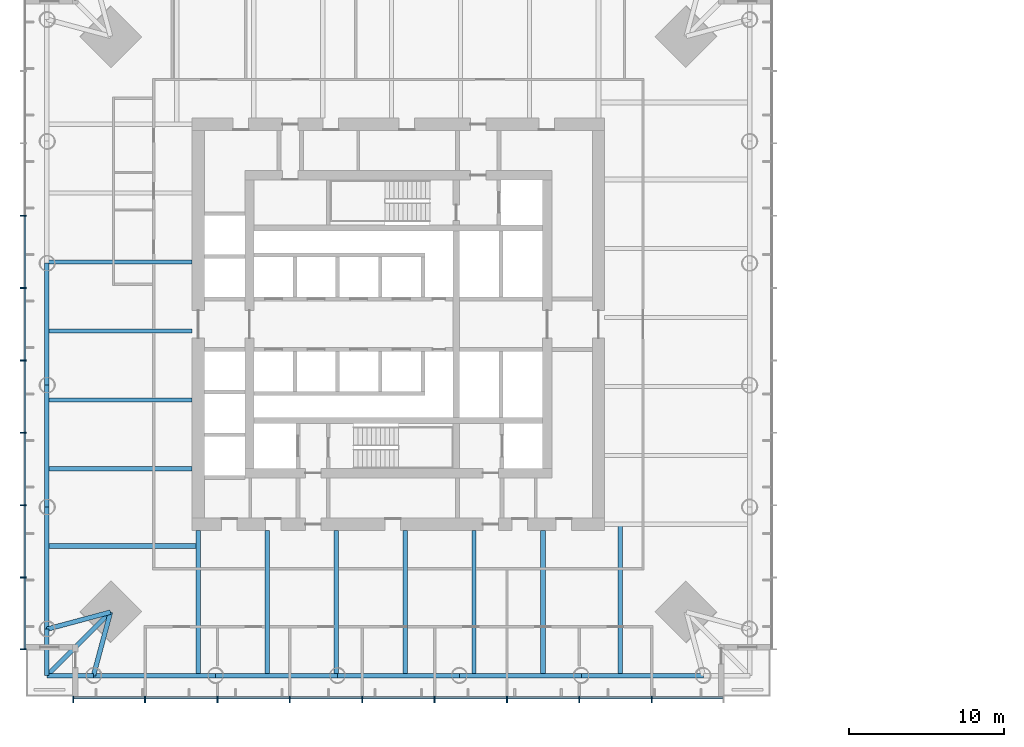
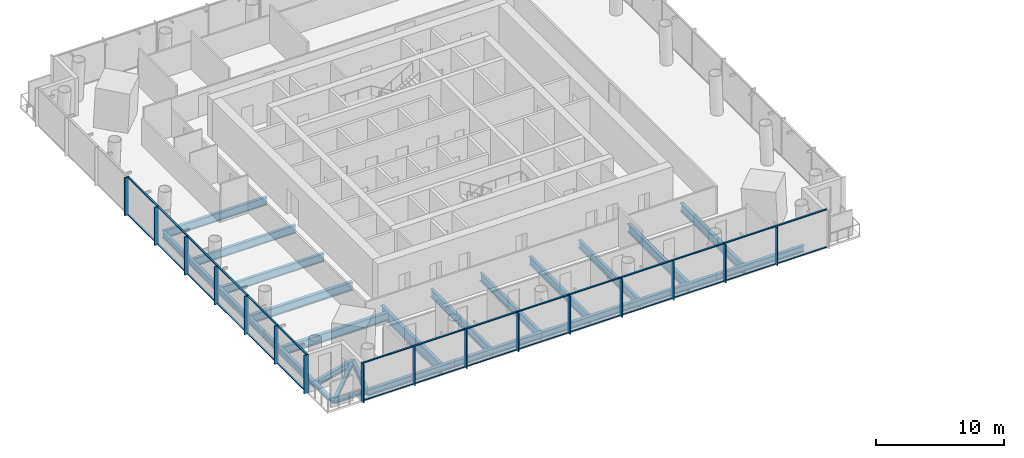
# One storey, part 2 of 22: 46 members, 25 beams, 2 elements without a shape of their own.
"""IFC4 building model written with IfcOpenShell, lengths in metres."""

from ifc_helpers import new_model, si_unit, direction, frame, origin, origin_2d, place, context, subcontext, project, spatial, rectangle, i_section, extrude, material, material_profile, profile_set, type_object, element, aggregate, save


model = new_model("IFC4")

# Units and contexts
model_context = context("Model", 3, precision=1e-05, world=origin(), true_north=direction((0.0, 1.0)))
body_context = subcontext(model_context, "Body", "Model", "MODEL_VIEW")
ifc_project = project(units=[si_unit("LENGTHUNIT", "METRE"), si_unit("AREAUNIT", "SQUARE_METRE"), si_unit("VOLUMEUNIT", "CUBIC_METRE"), si_unit("PLANEANGLEUNIT", "RADIAN"), si_unit("MASSUNIT", "GRAM", prefix="KILO")], contexts=[model_context])

# Site, building, storey
site_placement = place(None, origin())
site = spatial("IfcSite", under=ifc_project, at=site_placement, CompositionType="ELEMENT")
building_placement = place(site_placement, origin())
building = spatial("IfcBuilding", under=site, at=building_placement, Name="Ostroluk Exchange", CompositionType="ELEMENT")
storey_placement = place(building_placement, frame((0.0, 0.0, 62.800048828125)))
storey = spatial("IfcBuildingStorey", under=building, at=storey_placement, Name="L15", CompositionType="ELEMENT", Elevation=62.800048828125)

# Beams
ifc_material_1 = material(Name="Steel S355", Category="steel")
ifc_material_profile_1 = material_profile(ifc_material_1, i_section(OverallWidth=0.300048828125, OverallDepth=0.300048828125, WebThickness=0.010986328125, FlangeThickness=0.01904296875, FilletRadius=0.027099609375, at=origin_2d()), Name="HEB 300")
ifc_profile_set_1 = profile_set([ifc_material_profile_1], Name="Steel S355")
beam_type_1 = type_object("IfcBeamType", Name="Balcony beam HEB 300", PredefinedType="BEAM", material=ifc_profile_set_1)
for number, where, z_axis, x_axis, name in (
    (1, (22.335693359375, 26.335693359375, -0.330078125), (0.0, -1.0, 0.0), (1.0, 0.0, 0.0), "T1 west balcony beam a"),
    (2, (25.335693359375, 23.335693359375, -0.330078125), (-1.0, 0.0, 0.0), (0.0, -1.0, 0.0), "T1 west balcony beam b"),
):
    element("IfcBeam", number, at=place(storey_placement, frame(where, z_axis=z_axis, x_axis=x_axis)), inside=storey, type_object=beam_type_1, Name=name, PredefinedType="BEAM", context=body_context, shape_type="SweptSolid", body=[
        extrude(i_section(OverallWidth=0.300048828125, OverallDepth=0.300048828125, WebThickness=0.010986328125, FlangeThickness=0.01904296875, FilletRadius=0.027099609375, at=origin_2d()), origin(), (0.0, 0.0, 1.0), 3.0),
    ])
beam_1_placement = place(storey_placement, frame((26.435791015625, 27.435791015625, -0.330078125), z_axis=(-0.707106781187, -0.707106781187, 0.0), x_axis=(0.707106781187, -0.707106781187, 0.0)))
element("IfcBeam", 3, at=beam_1_placement, inside=storey, type_object=beam_type_1, Name="T1 west balcony beam c", PredefinedType="BEAM", context=body_context, shape_type="SweptSolid", body=[
    extrude(i_section(OverallWidth=0.300048828125, OverallDepth=0.300048828125, WebThickness=0.010986328125, FlangeThickness=0.01904296875, FilletRadius=0.027099609375, at=origin_2d()), origin(), (0.0, 0.0, 1.0), 5.79833984375),
])
ifc_material_2 = material(Name="Steel S355", Category="steel")
ifc_material_profile_2 = material_profile(ifc_material_2, i_section(OverallWidth=0.300048828125, OverallDepth=0.550048828125, WebThickness=0.014892578125, FlangeThickness=0.029052734375, FilletRadius=0.027099609375, at=origin_2d()), Name="HEB 550")
ifc_profile_set_2 = profile_set([ifc_material_profile_2], Name="Steel S355")
beam_type_2 = type_object("IfcBeamType", Name="Corner edge beam HEB 550", PredefinedType="SPANDREL", material=ifc_profile_set_2)
for number, where, z_axis, x_axis, name in (
    (4, (26.435791015625, 27.435791015625, -0.455078125), (-0.965838624319, -0.259144268261, 0.0), (0.259144268261, -0.965838624319, 0.0), "T1 west corner edge beam a"),
    (5, (26.435791015625, 27.435791015625, -0.455078125), (-0.259144268261, -0.965838624319, 0.0), (0.965838624319, -0.259144268261, 0.0), "T1 west corner edge beam b"),
):
    element("IfcBeam", number, at=place(storey_placement, frame(where, z_axis=z_axis, x_axis=x_axis)), inside=storey, type_object=beam_type_2, Name=name, PredefinedType="SPANDREL", context=body_context, shape_type="SweptSolid", body=[
        extrude(i_section(OverallWidth=0.300048828125, OverallDepth=0.550048828125, WebThickness=0.014892578125, FlangeThickness=0.029052734375, FilletRadius=0.027099609375, at=origin_2d()), origin(), (0.0, 0.0, 1.0), 4.2451171875),
    ])
ifc_material_3 = material(Name="Steel S355", Category="steel")
ifc_material_profile_3 = material_profile(ifc_material_3, i_section(OverallWidth=0.302978515625, OverallDepth=0.81396484375, WebThickness=0.02099609375, FlangeThickness=0.0400390625, FilletRadius=0.030029296875, at=origin_2d()), Name="HEM 800")
ifc_profile_set_3 = profile_set([ifc_material_profile_3], Name="Steel S355")
beam_type_3 = type_object("IfcBeamType", Name="Floor beam HEM 800", PredefinedType="BEAM", material=ifc_profile_set_3)
beam_2_placement = place(storey_placement, frame((31.699951171875, 36.67236328125, -0.587158203125), z_axis=(-1.0, 0.0, 0.0), x_axis=(0.0, -1.0, 0.0)))
element("IfcBeam", 6, at=beam_2_placement, inside=storey, type_object=beam_type_3, Name="T1 west floor beam 5", PredefinedType="BEAM", context=body_context, shape_type="SweptSolid", body=[
    extrude(i_section(OverallWidth=0.302978515625, OverallDepth=0.81396484375, WebThickness=0.02099609375, FlangeThickness=0.0400390625, FilletRadius=0.030029296875, at=origin_2d()), origin(), (0.0, 0.0, 1.0), 9.3642578125),
])
beam_3_placement = place(storey_placement, frame((32.10009765625, 31.699951171875, -0.587158203125), z_axis=(-1.0, 0.0, 0.0), x_axis=(0.0, -1.0, 0.0)))
element("IfcBeam", 7, at=beam_3_placement, inside=storey, type_object=beam_type_3, Name="T1 west floor beam 6", PredefinedType="BEAM", context=body_context, shape_type="SweptSolid", body=[
    extrude(i_section(OverallWidth=0.302978515625, OverallDepth=0.81396484375, WebThickness=0.02099609375, FlangeThickness=0.0400390625, FilletRadius=0.030029296875, at=origin_2d()), origin(), (0.0, 0.0, 1.0), 9.764404296875),
])
beam_4_placement = place(storey_placement, frame((54.32763671875, 32.699951171875, -0.587158203125), z_axis=(0.0, -1.0, 0.0), x_axis=(1.0, 0.0, 0.0)))
element("IfcBeam", 8, at=beam_4_placement, inside=storey, type_object=beam_type_3, Name="T1 south floor beam 5", PredefinedType="BEAM", context=body_context, shape_type="SweptSolid", body=[
    extrude(i_section(OverallWidth=0.302978515625, OverallDepth=0.81396484375, WebThickness=0.02099609375, FlangeThickness=0.0400390625, FilletRadius=0.030029296875, at=origin_2d()), origin(), (0.0, 0.0, 1.0), 9.3642578125),
])
beam_5_placement = place(storey_placement, frame((59.300048828125, 33.10009765625, -0.587158203125), z_axis=(0.0, -1.0, 0.0), x_axis=(1.0, 0.0, 0.0)))
element("IfcBeam", 9, at=beam_5_placement, inside=storey, type_object=beam_type_3, Name="T1 south floor beam 6", PredefinedType="BEAM", context=body_context, shape_type="SweptSolid", body=[
    extrude(i_section(OverallWidth=0.302978515625, OverallDepth=0.81396484375, WebThickness=0.02099609375, FlangeThickness=0.0400390625, FilletRadius=0.030029296875, at=origin_2d()), origin(), (0.0, 0.0, 1.0), 9.764404296875),
])
ifc_material_4 = material(Name="Steel S355", Category="steel")
ifc_material_profile_4 = material_profile(ifc_material_4, i_section(OverallWidth=0.26806640625, OverallDepth=0.77001953125, WebThickness=0.015625, FlangeThickness=0.025390625, FilletRadius=0.01708984375, at=origin_2d()), Name="IPE 750x196")
ifc_profile_set_4 = profile_set([ifc_material_profile_4], Name="Steel S355")
beam_type_4 = type_object("IfcBeamType", Name="Floor beam IPE 750x196", PredefinedType="BEAM", material=ifc_profile_set_4)
for number, where, z_axis, x_axis, name in (
    (10, (31.699951171875, 50.009033203125, -0.56494140625), (-1.0, 0.0, 0.0), (0.0, -1.0, 0.0), "T1 west floor beam 2"),
    (11, (31.699951171875, 45.5634765625, -0.56494140625), (-1.0, 0.0, 0.0), (0.0, -1.0, 0.0), "T1 west floor beam 3"),
    (12, (31.699951171875, 41.117919921875, -0.56494140625), (-1.0, 0.0, 0.0), (0.0, -1.0, 0.0), "T1 west floor beam 4"),
    (13, (36.545654296875, 32.699951171875, -0.56494140625), (0.0, -1.0, 0.0), (1.0, 0.0, 0.0), "T1 south floor beam 1"),
    (14, (40.990966796875, 32.699951171875, -0.56494140625), (0.0, -1.0, 0.0), (1.0, 0.0, 0.0), "T1 south floor beam 2"),
    (15, (45.4365234375, 32.699951171875, -0.56494140625), (0.0, -1.0, 0.0), (1.0, 0.0, 0.0), "T1 south floor beam 3"),
    (16, (49.882080078125, 32.699951171875, -0.56494140625), (0.0, -1.0, 0.0), (1.0, 0.0, 0.0), "T1 south floor beam 4"),
):
    element("IfcBeam", number, at=place(storey_placement, frame(where, z_axis=z_axis, x_axis=x_axis)), inside=storey, type_object=beam_type_4, Name=name, PredefinedType="BEAM", context=body_context, shape_type="SweptSolid", body=[
        extrude(i_section(OverallWidth=0.26806640625, OverallDepth=0.77001953125, WebThickness=0.015625, FlangeThickness=0.025390625, FilletRadius=0.01708984375, at=origin_2d()), origin(), (0.0, 0.0, 1.0), 9.3642578125),
    ])
ifc_material_5 = material(Name="Steel S355", Category="steel")
ifc_material_profile_5 = material_profile(ifc_material_5, i_section(OverallWidth=0.302001953125, OverallDepth=1.008056640625, WebThickness=0.02099609375, FlangeThickness=0.0400390625, FilletRadius=0.030029296875, at=origin_2d()), Name="HEM 1000")
ifc_profile_set_5 = profile_set([ifc_material_profile_5], Name="Steel S355")
beam_type_5 = type_object("IfcBeamType", Name="Girder HEM 1000", PredefinedType="BEAM", material=ifc_profile_set_5)
beam_6_placement = place(storey_placement, frame((32.10009765625, 32.699951171875, -0.68408203125), z_axis=(0.0, -1.0, 0.0), x_axis=(1.0, 0.0, 0.0)))
element("IfcBeam", 17, at=beam_6_placement, inside=storey, type_object=beam_type_5, Name="T1 west girder", PredefinedType="BEAM", context=body_context, shape_type="SweptSolid", body=[
    extrude(i_section(OverallWidth=0.302001953125, OverallDepth=1.008056640625, WebThickness=0.02099609375, FlangeThickness=0.0400390625, FilletRadius=0.030029296875, at=origin_2d()), origin(), (0.0, 0.0, 1.0), 9.3642578125),
])
ifc_material_6 = material(Name="Steel S355", Category="steel")
ifc_material_profile_6 = material_profile(ifc_material_6, i_section(OverallWidth=0.300048828125, OverallDepth=0.60009765625, WebThickness=0.015380859375, FlangeThickness=0.030029296875, FilletRadius=0.027099609375, at=origin_2d()), Name="HEB 600")
ifc_profile_set_6 = profile_set([ifc_material_profile_6], Name="Steel S355")
beam_type_6 = type_object("IfcBeamType", Name="Moment-connected edge beam HEB 600", PredefinedType="SPANDREL", material=ifc_profile_set_6)
for number, where, z_axis, x_axis, name in (
    (18, (22.335693359375, 49.932861328125, -0.47998046875), (0.0, -1.0, 0.0), (1.0, 0.0, 0.0), "T1 west edge beam 3"),
    (19, (22.335693359375, 42.067138671875, -0.47998046875), (0.0, -1.0, 0.0), (1.0, 0.0, 0.0), "T1 west edge beam 4"),
    (20, (22.335693359375, 34.201416015625, -0.47998046875), (0.0, -1.0, 0.0), (1.0, 0.0, 0.0), "T1 west edge beam 5"),
    (21, (25.335693359375, 23.335693359375, -0.47998046875), (1.0, 0.0, 0.0), (0.0, 1.0, 0.0), "T1 south edge beam 1"),
    (22, (33.201416015625, 23.335693359375, -0.47998046875), (1.0, 0.0, 0.0), (0.0, 1.0, 0.0), "T1 south edge beam 2"),
    (23, (41.067138671875, 23.335693359375, -0.47998046875), (1.0, 0.0, 0.0), (0.0, 1.0, 0.0), "T1 south edge beam 3"),
    (24, (48.932861328125, 23.335693359375, -0.47998046875), (1.0, 0.0, 0.0), (0.0, 1.0, 0.0), "T1 south edge beam 4"),
    (25, (56.798583984375, 23.335693359375, -0.47998046875), (1.0, 0.0, 0.0), (0.0, 1.0, 0.0), "T1 south edge beam 5"),
):
    element("IfcBeam", number, at=place(storey_placement, frame(where, z_axis=z_axis, x_axis=x_axis)), inside=storey, type_object=beam_type_6, Name=name, PredefinedType="SPANDREL", context=body_context, shape_type="SweptSolid", body=[
        extrude(i_section(OverallWidth=0.300048828125, OverallDepth=0.60009765625, WebThickness=0.015380859375, FlangeThickness=0.030029296875, FilletRadius=0.027099609375, at=origin_2d()), origin(), (0.0, 0.0, 1.0), 7.86572265625),
    ])

# Curtain wall, members
ifc_material_7 = material(Name="Laminated clear glass", Category="glass")
curtain_wall_type = type_object("IfcCurtainWallType", Name="Office tower facade", PredefinedType="USERDEFINED", material=ifc_material_7)
curtain_wall_1_placement = place(storey_placement, origin())
curtain_wall_1 = element("IfcCurtainWall", 26, at=curtain_wall_1_placement, inside=storey, type_object=curtain_wall_type, Name="Office tower south facade L15", ObjectType="UNITISED CURTAIN WALL", PredefinedType="USERDEFINED")
ifc_material_8 = material(Name="Aluminium mullion", Category="aluminium")
ifc_material_profile_7 = material_profile(ifc_material_8, rectangle(XDim=0.14990234375, YDim=0.080078125, at=origin_2d()), Name="Sill transom 80 x 150")
ifc_profile_set_7 = profile_set([ifc_material_profile_7], Name="Aluminium mullion")
member_type_1 = type_object("IfcMemberType", Name="Sill transom 80 x 150", PredefinedType="USERDEFINED", material=ifc_profile_set_7)
member_1_placement = place(storey_placement, frame((24.080078125, 21.925048828125, 0.0400390625), z_axis=(1.0, 0.0, 0.0), x_axis=(0.0, 1.0, 0.0)))
member_1 = element("IfcMember", 27, at=member_1_placement, type_object=member_type_1, Name="CW-O1 transom 1.1", ObjectType="TRANSOM", PredefinedType="USERDEFINED", context=body_context, shape_type="SweptSolid", body=[
    extrude(rectangle(XDim=0.14990234375, YDim=0.080078125, at=origin_2d()), origin(), (0.0, 0.0, 1.0), 4.546630859375),
])
member_2_placement = place(storey_placement, frame((24.080078125, 21.925048828125, 3.60986328125), z_axis=(1.0, 0.0, 0.0), x_axis=(0.0, 1.0, 0.0)))
member_2 = element("IfcMember", 28, at=member_2_placement, type_object=member_type_1, Name="CW-O1 transom 1.2", ObjectType="TRANSOM", PredefinedType="USERDEFINED", context=body_context, shape_type="SweptSolid", body=[
    extrude(rectangle(XDim=0.14990234375, YDim=0.080078125, at=origin_2d()), origin(), (0.0, 0.0, 1.0), 4.546630859375),
])
member_3_placement = place(storey_placement, frame((28.706787109375, 21.925048828125, 0.0400390625), z_axis=(1.0, 0.0, 0.0), x_axis=(0.0, 1.0, 0.0)))
member_3 = element("IfcMember", 29, at=member_3_placement, type_object=member_type_1, Name="CW-O1 transom 2.1", ObjectType="TRANSOM", PredefinedType="USERDEFINED", context=body_context, shape_type="SweptSolid", body=[
    extrude(rectangle(XDim=0.14990234375, YDim=0.080078125, at=origin_2d()), origin(), (0.0, 0.0, 1.0), 4.58642578125),
])
member_4_placement = place(storey_placement, frame((28.706787109375, 21.925048828125, 3.60986328125), z_axis=(1.0, 0.0, 0.0), x_axis=(0.0, 1.0, 0.0)))
member_4 = element("IfcMember", 30, at=member_4_placement, type_object=member_type_1, Name="CW-O1 transom 2.2", ObjectType="TRANSOM", PredefinedType="USERDEFINED", context=body_context, shape_type="SweptSolid", body=[
    extrude(rectangle(XDim=0.14990234375, YDim=0.080078125, at=origin_2d()), origin(), (0.0, 0.0, 1.0), 4.58642578125),
])
member_5_placement = place(storey_placement, frame((33.373291015625, 21.925048828125, 0.0400390625), z_axis=(1.0, 0.0, 0.0), x_axis=(0.0, 1.0, 0.0)))
member_5 = element("IfcMember", 31, at=member_5_placement, type_object=member_type_1, Name="CW-O1 transom 3.1", ObjectType="TRANSOM", PredefinedType="USERDEFINED", context=body_context, shape_type="SweptSolid", body=[
    extrude(rectangle(XDim=0.14990234375, YDim=0.080078125, at=origin_2d()), origin(), (0.0, 0.0, 1.0), 4.586669921875),
])
member_6_placement = place(storey_placement, frame((33.373291015625, 21.925048828125, 3.60986328125), z_axis=(1.0, 0.0, 0.0), x_axis=(0.0, 1.0, 0.0)))
member_6 = element("IfcMember", 32, at=member_6_placement, type_object=member_type_1, Name="CW-O1 transom 3.2", ObjectType="TRANSOM", PredefinedType="USERDEFINED", context=body_context, shape_type="SweptSolid", body=[
    extrude(rectangle(XDim=0.14990234375, YDim=0.080078125, at=origin_2d()), origin(), (0.0, 0.0, 1.0), 4.586669921875),
])
member_7_placement = place(storey_placement, frame((38.0400390625, 21.925048828125, 0.0400390625), z_axis=(1.0, 0.0, 0.0), x_axis=(0.0, 1.0, 0.0)))
member_7 = element("IfcMember", 33, at=member_7_placement, type_object=member_type_1, Name="CW-O1 transom 4.1", ObjectType="TRANSOM", PredefinedType="USERDEFINED", context=body_context, shape_type="SweptSolid", body=[
    extrude(rectangle(XDim=0.14990234375, YDim=0.080078125, at=origin_2d()), origin(), (0.0, 0.0, 1.0), 4.586669921875),
])
member_8_placement = place(storey_placement, frame((38.0400390625, 21.925048828125, 3.60986328125), z_axis=(1.0, 0.0, 0.0), x_axis=(0.0, 1.0, 0.0)))
member_8 = element("IfcMember", 34, at=member_8_placement, type_object=member_type_1, Name="CW-O1 transom 4.2", ObjectType="TRANSOM", PredefinedType="USERDEFINED", context=body_context, shape_type="SweptSolid", body=[
    extrude(rectangle(XDim=0.14990234375, YDim=0.080078125, at=origin_2d()), origin(), (0.0, 0.0, 1.0), 4.586669921875),
])
member_9_placement = place(storey_placement, frame((42.706787109375, 21.925048828125, 0.0400390625), z_axis=(1.0, 0.0, 0.0), x_axis=(0.0, 1.0, 0.0)))
member_9 = element("IfcMember", 35, at=member_9_placement, type_object=member_type_1, Name="CW-O1 transom 5.1", ObjectType="TRANSOM", PredefinedType="USERDEFINED", context=body_context, shape_type="SweptSolid", body=[
    extrude(rectangle(XDim=0.14990234375, YDim=0.080078125, at=origin_2d()), origin(), (0.0, 0.0, 1.0), 4.58642578125),
])
member_10_placement = place(storey_placement, frame((42.706787109375, 21.925048828125, 3.60986328125), z_axis=(1.0, 0.0, 0.0), x_axis=(0.0, 1.0, 0.0)))
member_10 = element("IfcMember", 36, at=member_10_placement, type_object=member_type_1, Name="CW-O1 transom 5.2", ObjectType="TRANSOM", PredefinedType="USERDEFINED", context=body_context, shape_type="SweptSolid", body=[
    extrude(rectangle(XDim=0.14990234375, YDim=0.080078125, at=origin_2d()), origin(), (0.0, 0.0, 1.0), 4.58642578125),
])
member_11_placement = place(storey_placement, frame((47.373291015625, 21.925048828125, 0.0400390625), z_axis=(1.0, 0.0, 0.0), x_axis=(0.0, 1.0, 0.0)))
member_11 = element("IfcMember", 37, at=member_11_placement, type_object=member_type_1, Name="CW-O1 transom 6.1", ObjectType="TRANSOM", PredefinedType="USERDEFINED", context=body_context, shape_type="SweptSolid", body=[
    extrude(rectangle(XDim=0.14990234375, YDim=0.080078125, at=origin_2d()), origin(), (0.0, 0.0, 1.0), 4.586669921875),
])
member_12_placement = place(storey_placement, frame((47.373291015625, 21.925048828125, 3.60986328125), z_axis=(1.0, 0.0, 0.0), x_axis=(0.0, 1.0, 0.0)))
member_12 = element("IfcMember", 38, at=member_12_placement, type_object=member_type_1, Name="CW-O1 transom 6.2", ObjectType="TRANSOM", PredefinedType="USERDEFINED", context=body_context, shape_type="SweptSolid", body=[
    extrude(rectangle(XDim=0.14990234375, YDim=0.080078125, at=origin_2d()), origin(), (0.0, 0.0, 1.0), 4.586669921875),
])
member_13_placement = place(storey_placement, frame((52.0400390625, 21.925048828125, 0.0400390625), z_axis=(1.0, 0.0, 0.0), x_axis=(0.0, 1.0, 0.0)))
member_13 = element("IfcMember", 39, at=member_13_placement, type_object=member_type_1, Name="CW-O1 transom 7.1", ObjectType="TRANSOM", PredefinedType="USERDEFINED", context=body_context, shape_type="SweptSolid", body=[
    extrude(rectangle(XDim=0.14990234375, YDim=0.080078125, at=origin_2d()), origin(), (0.0, 0.0, 1.0), 4.586669921875),
])
member_14_placement = place(storey_placement, frame((52.0400390625, 21.925048828125, 3.60986328125), z_axis=(1.0, 0.0, 0.0), x_axis=(0.0, 1.0, 0.0)))
member_14 = element("IfcMember", 40, at=member_14_placement, type_object=member_type_1, Name="CW-O1 transom 7.2", ObjectType="TRANSOM", PredefinedType="USERDEFINED", context=body_context, shape_type="SweptSolid", body=[
    extrude(rectangle(XDim=0.14990234375, YDim=0.080078125, at=origin_2d()), origin(), (0.0, 0.0, 1.0), 4.586669921875),
])
member_15_placement = place(storey_placement, frame((56.706787109375, 21.925048828125, 0.0400390625), z_axis=(1.0, 0.0, 0.0), x_axis=(0.0, 1.0, 0.0)))
member_15 = element("IfcMember", 41, at=member_15_placement, type_object=member_type_1, Name="CW-O1 transom 8.1", ObjectType="TRANSOM", PredefinedType="USERDEFINED", context=body_context, shape_type="SweptSolid", body=[
    extrude(rectangle(XDim=0.14990234375, YDim=0.080078125, at=origin_2d()), origin(), (0.0, 0.0, 1.0), 4.58642578125),
])
member_16_placement = place(storey_placement, frame((56.706787109375, 21.925048828125, 3.60986328125), z_axis=(1.0, 0.0, 0.0), x_axis=(0.0, 1.0, 0.0)))
member_16 = element("IfcMember", 42, at=member_16_placement, type_object=member_type_1, Name="CW-O1 transom 8.2", ObjectType="TRANSOM", PredefinedType="USERDEFINED", context=body_context, shape_type="SweptSolid", body=[
    extrude(rectangle(XDim=0.14990234375, YDim=0.080078125, at=origin_2d()), origin(), (0.0, 0.0, 1.0), 4.58642578125),
])
member_17_placement = place(storey_placement, frame((61.373291015625, 21.925048828125, 0.0400390625), z_axis=(1.0, 0.0, 0.0), x_axis=(0.0, 1.0, 0.0)))
member_17 = element("IfcMember", 43, at=member_17_placement, type_object=member_type_1, Name="CW-O1 transom 9.1", ObjectType="TRANSOM", PredefinedType="USERDEFINED", context=body_context, shape_type="SweptSolid", body=[
    extrude(rectangle(XDim=0.14990234375, YDim=0.080078125, at=origin_2d()), origin(), (0.0, 0.0, 1.0), 4.546630859375),
])
member_18_placement = place(storey_placement, frame((61.373291015625, 21.925048828125, 3.60986328125), z_axis=(1.0, 0.0, 0.0), x_axis=(0.0, 1.0, 0.0)))
member_18 = element("IfcMember", 44, at=member_18_placement, type_object=member_type_1, Name="CW-O1 transom 9.2", ObjectType="TRANSOM", PredefinedType="USERDEFINED", context=body_context, shape_type="SweptSolid", body=[
    extrude(rectangle(XDim=0.14990234375, YDim=0.080078125, at=origin_2d()), origin(), (0.0, 0.0, 1.0), 4.546630859375),
])

curtain_wall_2_placement = place(storey_placement, origin())
curtain_wall_2 = element("IfcCurtainWall", 45, at=curtain_wall_2_placement, inside=storey, type_object=curtain_wall_type, Name="Office tower west facade L15", ObjectType="UNITISED CURTAIN WALL", PredefinedType="USERDEFINED")
member_19_placement = place(storey_placement, frame((20.925048828125, 52.9599609375, 0.0400390625), z_axis=(0.0, -1.0, 0.0), x_axis=(1.0, 0.0, 0.0)))
member_19 = element("IfcMember", 46, at=member_19_placement, type_object=member_type_1, Name="CW-O1 transom 4.1", ObjectType="TRANSOM", PredefinedType="USERDEFINED", context=body_context, shape_type="SweptSolid", body=[
    extrude(rectangle(XDim=0.14990234375, YDim=0.080078125, at=origin_2d()), origin(), (0.0, 0.0, 1.0), 4.586669921875),
])
member_20_placement = place(storey_placement, frame((20.925048828125, 52.9599609375, 3.60986328125), z_axis=(0.0, -1.0, 0.0), x_axis=(1.0, 0.0, 0.0)))
member_20 = element("IfcMember", 47, at=member_20_placement, type_object=member_type_1, Name="CW-O1 transom 4.2", ObjectType="TRANSOM", PredefinedType="USERDEFINED", context=body_context, shape_type="SweptSolid", body=[
    extrude(rectangle(XDim=0.14990234375, YDim=0.080078125, at=origin_2d()), origin(), (0.0, 0.0, 1.0), 4.586669921875),
])
member_21_placement = place(storey_placement, frame((20.925048828125, 48.293212890625, 0.0400390625), z_axis=(0.0, -1.0, 0.0), x_axis=(1.0, 0.0, 0.0)))
member_21 = element("IfcMember", 48, at=member_21_placement, type_object=member_type_1, Name="CW-O1 transom 5.1", ObjectType="TRANSOM", PredefinedType="USERDEFINED", context=body_context, shape_type="SweptSolid", body=[
    extrude(rectangle(XDim=0.14990234375, YDim=0.080078125, at=origin_2d()), origin(), (0.0, 0.0, 1.0), 4.58642578125),
])
member_22_placement = place(storey_placement, frame((20.925048828125, 48.293212890625, 3.60986328125), z_axis=(0.0, -1.0, 0.0), x_axis=(1.0, 0.0, 0.0)))
member_22 = element("IfcMember", 49, at=member_22_placement, type_object=member_type_1, Name="CW-O1 transom 5.2", ObjectType="TRANSOM", PredefinedType="USERDEFINED", context=body_context, shape_type="SweptSolid", body=[
    extrude(rectangle(XDim=0.14990234375, YDim=0.080078125, at=origin_2d()), origin(), (0.0, 0.0, 1.0), 4.58642578125),
])
member_23_placement = place(storey_placement, frame((20.925048828125, 43.626708984375, 0.0400390625), z_axis=(0.0, -1.0, 0.0), x_axis=(1.0, 0.0, 0.0)))
member_23 = element("IfcMember", 50, at=member_23_placement, type_object=member_type_1, Name="CW-O1 transom 6.1", ObjectType="TRANSOM", PredefinedType="USERDEFINED", context=body_context, shape_type="SweptSolid", body=[
    extrude(rectangle(XDim=0.14990234375, YDim=0.080078125, at=origin_2d()), origin(), (0.0, 0.0, 1.0), 4.586669921875),
])
member_24_placement = place(storey_placement, frame((20.925048828125, 43.626708984375, 3.60986328125), z_axis=(0.0, -1.0, 0.0), x_axis=(1.0, 0.0, 0.0)))
member_24 = element("IfcMember", 51, at=member_24_placement, type_object=member_type_1, Name="CW-O1 transom 6.2", ObjectType="TRANSOM", PredefinedType="USERDEFINED", context=body_context, shape_type="SweptSolid", body=[
    extrude(rectangle(XDim=0.14990234375, YDim=0.080078125, at=origin_2d()), origin(), (0.0, 0.0, 1.0), 4.586669921875),
])
member_25_placement = place(storey_placement, frame((20.925048828125, 38.9599609375, 0.0400390625), z_axis=(0.0, -1.0, 0.0), x_axis=(1.0, 0.0, 0.0)))
member_25 = element("IfcMember", 52, at=member_25_placement, type_object=member_type_1, Name="CW-O1 transom 7.1", ObjectType="TRANSOM", PredefinedType="USERDEFINED", context=body_context, shape_type="SweptSolid", body=[
    extrude(rectangle(XDim=0.14990234375, YDim=0.080078125, at=origin_2d()), origin(), (0.0, 0.0, 1.0), 4.586669921875),
])
member_26_placement = place(storey_placement, frame((20.925048828125, 38.9599609375, 3.60986328125), z_axis=(0.0, -1.0, 0.0), x_axis=(1.0, 0.0, 0.0)))
member_26 = element("IfcMember", 53, at=member_26_placement, type_object=member_type_1, Name="CW-O1 transom 7.2", ObjectType="TRANSOM", PredefinedType="USERDEFINED", context=body_context, shape_type="SweptSolid", body=[
    extrude(rectangle(XDim=0.14990234375, YDim=0.080078125, at=origin_2d()), origin(), (0.0, 0.0, 1.0), 4.586669921875),
])
member_27_placement = place(storey_placement, frame((20.925048828125, 34.293212890625, 0.0400390625), z_axis=(0.0, -1.0, 0.0), x_axis=(1.0, 0.0, 0.0)))
member_27 = element("IfcMember", 54, at=member_27_placement, type_object=member_type_1, Name="CW-O1 transom 8.1", ObjectType="TRANSOM", PredefinedType="USERDEFINED", context=body_context, shape_type="SweptSolid", body=[
    extrude(rectangle(XDim=0.14990234375, YDim=0.080078125, at=origin_2d()), origin(), (0.0, 0.0, 1.0), 4.58642578125),
])
member_28_placement = place(storey_placement, frame((20.925048828125, 34.293212890625, 3.60986328125), z_axis=(0.0, -1.0, 0.0), x_axis=(1.0, 0.0, 0.0)))
member_28 = element("IfcMember", 55, at=member_28_placement, type_object=member_type_1, Name="CW-O1 transom 8.2", ObjectType="TRANSOM", PredefinedType="USERDEFINED", context=body_context, shape_type="SweptSolid", body=[
    extrude(rectangle(XDim=0.14990234375, YDim=0.080078125, at=origin_2d()), origin(), (0.0, 0.0, 1.0), 4.58642578125),
])
member_29_placement = place(storey_placement, frame((20.925048828125, 29.626708984375, 0.0400390625), z_axis=(0.0, -1.0, 0.0), x_axis=(1.0, 0.0, 0.0)))
member_29 = element("IfcMember", 56, at=member_29_placement, type_object=member_type_1, Name="CW-O1 transom 9.1", ObjectType="TRANSOM", PredefinedType="USERDEFINED", context=body_context, shape_type="SweptSolid", body=[
    extrude(rectangle(XDim=0.14990234375, YDim=0.080078125, at=origin_2d()), origin(), (0.0, 0.0, 1.0), 4.546630859375),
])
member_30_placement = place(storey_placement, frame((20.925048828125, 29.626708984375, 3.60986328125), z_axis=(0.0, -1.0, 0.0), x_axis=(1.0, 0.0, 0.0)))
member_30 = element("IfcMember", 57, at=member_30_placement, type_object=member_type_1, Name="CW-O1 transom 9.2", ObjectType="TRANSOM", PredefinedType="USERDEFINED", context=body_context, shape_type="SweptSolid", body=[
    extrude(rectangle(XDim=0.14990234375, YDim=0.080078125, at=origin_2d()), origin(), (0.0, 0.0, 1.0), 4.546630859375),
])

# Member
ifc_material_9 = material(Name="Aluminium mullion with limestone facing", Category="masonry")
ifc_material_profile_8 = material_profile(ifc_material_9, rectangle(XDim=0.39990234375, YDim=0.080078125, at=origin_2d()), Name="Tracery mullion 80 x 400")
ifc_profile_set_8 = profile_set([ifc_material_profile_8], Name="Aluminium mullion with limestone facing")
member_type_2 = type_object("IfcMemberType", Name="Tracery mullion 80 x 400", PredefinedType="MULLION", material=ifc_profile_set_8)
member_31_placement = place(storey_placement, frame((24.0400390625, 21.800048828125, 0.0), z_axis=(0.0, 0.0, 1.0), x_axis=(0.0, 1.0, 0.0)))
member_31 = element("IfcMember", 58, at=member_31_placement, type_object=member_type_2, Name="CW-O1 mullion 1", PredefinedType="MULLION", context=body_context, shape_type="SweptSolid", body=[
    extrude(rectangle(XDim=0.39990234375, YDim=0.080078125, at=origin_2d()), origin(), (0.0, 0.0, 1.0), 3.64990234375),
])

member_32_placement = place(storey_placement, frame((28.666748046875, 21.800048828125, 0.0), z_axis=(0.0, 0.0, 1.0), x_axis=(0.0, 1.0, 0.0)))
member_32 = element("IfcMember", 59, at=member_32_placement, type_object=member_type_2, Name="CW-O1 mullion 2", PredefinedType="MULLION", context=body_context, shape_type="SweptSolid", body=[
    extrude(rectangle(XDim=0.39990234375, YDim=0.080078125, at=origin_2d()), origin(), (0.0, 0.0, 1.0), 3.64990234375),
])

member_33_placement = place(storey_placement, frame((33.333251953125, 21.800048828125, 0.0), z_axis=(0.0, 0.0, 1.0), x_axis=(0.0, 1.0, 0.0)))
member_33 = element("IfcMember", 60, at=member_33_placement, type_object=member_type_2, Name="CW-O1 mullion 3", PredefinedType="MULLION", context=body_context, shape_type="SweptSolid", body=[
    extrude(rectangle(XDim=0.39990234375, YDim=0.080078125, at=origin_2d()), origin(), (0.0, 0.0, 1.0), 3.64990234375),
])

member_34_placement = place(storey_placement, frame((38.0, 21.800048828125, 0.0), z_axis=(0.0, 0.0, 1.0), x_axis=(0.0, 1.0, 0.0)))
member_34 = element("IfcMember", 61, at=member_34_placement, type_object=member_type_2, Name="CW-O1 mullion 4", PredefinedType="MULLION", context=body_context, shape_type="SweptSolid", body=[
    extrude(rectangle(XDim=0.39990234375, YDim=0.080078125, at=origin_2d()), origin(), (0.0, 0.0, 1.0), 3.64990234375),
])

member_35_placement = place(storey_placement, frame((42.666748046875, 21.800048828125, 0.0), z_axis=(0.0, 0.0, 1.0), x_axis=(0.0, 1.0, 0.0)))
member_35 = element("IfcMember", 62, at=member_35_placement, type_object=member_type_2, Name="CW-O1 mullion 5", PredefinedType="MULLION", context=body_context, shape_type="SweptSolid", body=[
    extrude(rectangle(XDim=0.39990234375, YDim=0.080078125, at=origin_2d()), origin(), (0.0, 0.0, 1.0), 3.64990234375),
])

member_36_placement = place(storey_placement, frame((47.333251953125, 21.800048828125, 0.0), z_axis=(0.0, 0.0, 1.0), x_axis=(0.0, 1.0, 0.0)))
member_36 = element("IfcMember", 63, at=member_36_placement, type_object=member_type_2, Name="CW-O1 mullion 6", PredefinedType="MULLION", context=body_context, shape_type="SweptSolid", body=[
    extrude(rectangle(XDim=0.39990234375, YDim=0.080078125, at=origin_2d()), origin(), (0.0, 0.0, 1.0), 3.64990234375),
])

member_37_placement = place(storey_placement, frame((52.0, 21.800048828125, 0.0), z_axis=(0.0, 0.0, 1.0), x_axis=(0.0, 1.0, 0.0)))
member_37 = element("IfcMember", 64, at=member_37_placement, type_object=member_type_2, Name="CW-O1 mullion 7", PredefinedType="MULLION", context=body_context, shape_type="SweptSolid", body=[
    extrude(rectangle(XDim=0.39990234375, YDim=0.080078125, at=origin_2d()), origin(), (0.0, 0.0, 1.0), 3.64990234375),
])

member_38_placement = place(storey_placement, frame((56.666748046875, 21.800048828125, 0.0), z_axis=(0.0, 0.0, 1.0), x_axis=(0.0, 1.0, 0.0)))
member_38 = element("IfcMember", 65, at=member_38_placement, type_object=member_type_2, Name="CW-O1 mullion 8", PredefinedType="MULLION", context=body_context, shape_type="SweptSolid", body=[
    extrude(rectangle(XDim=0.39990234375, YDim=0.080078125, at=origin_2d()), origin(), (0.0, 0.0, 1.0), 3.64990234375),
])

member_39_placement = place(storey_placement, frame((61.333251953125, 21.800048828125, 0.0), z_axis=(0.0, 0.0, 1.0), x_axis=(0.0, 1.0, 0.0)))
member_39 = element("IfcMember", 66, at=member_39_placement, type_object=member_type_2, Name="CW-O1 mullion 9", PredefinedType="MULLION", context=body_context, shape_type="SweptSolid", body=[
    extrude(rectangle(XDim=0.39990234375, YDim=0.080078125, at=origin_2d()), origin(), (0.0, 0.0, 1.0), 3.64990234375),
])

aggregate(curtain_wall_1, [member_31, member_32, member_33, member_34, member_35, member_36, member_37, member_38, member_39, member_1, member_2, member_3, member_4, member_5, member_6, member_7, member_8, member_9, member_10, member_11, member_12, member_13, member_14, member_15, member_16, member_17, member_18])

member_40_placement = place(storey_placement, frame((20.800048828125, 53.0, 0.0), z_axis=(0.0, 0.0, 1.0), x_axis=(1.0, 0.0, 0.0)))
member_40 = element("IfcMember", 67, at=member_40_placement, type_object=member_type_2, Name="CW-O1 mullion 4", PredefinedType="MULLION", context=body_context, shape_type="SweptSolid", body=[
    extrude(rectangle(XDim=0.39990234375, YDim=0.080078125, at=origin_2d()), origin(), (0.0, 0.0, 1.0), 3.64990234375),
])

member_41_placement = place(storey_placement, frame((20.800048828125, 48.333251953125, 0.0), z_axis=(0.0, 0.0, 1.0), x_axis=(1.0, 0.0, 0.0)))
member_41 = element("IfcMember", 68, at=member_41_placement, type_object=member_type_2, Name="CW-O1 mullion 5", PredefinedType="MULLION", context=body_context, shape_type="SweptSolid", body=[
    extrude(rectangle(XDim=0.39990234375, YDim=0.080078125, at=origin_2d()), origin(), (0.0, 0.0, 1.0), 3.64990234375),
])

member_42_placement = place(storey_placement, frame((20.800048828125, 43.666748046875, 0.0), z_axis=(0.0, 0.0, 1.0), x_axis=(1.0, 0.0, 0.0)))
member_42 = element("IfcMember", 69, at=member_42_placement, type_object=member_type_2, Name="CW-O1 mullion 6", PredefinedType="MULLION", context=body_context, shape_type="SweptSolid", body=[
    extrude(rectangle(XDim=0.39990234375, YDim=0.080078125, at=origin_2d()), origin(), (0.0, 0.0, 1.0), 3.64990234375),
])

member_43_placement = place(storey_placement, frame((20.800048828125, 39.0, 0.0), z_axis=(0.0, 0.0, 1.0), x_axis=(1.0, 0.0, 0.0)))
member_43 = element("IfcMember", 70, at=member_43_placement, type_object=member_type_2, Name="CW-O1 mullion 7", PredefinedType="MULLION", context=body_context, shape_type="SweptSolid", body=[
    extrude(rectangle(XDim=0.39990234375, YDim=0.080078125, at=origin_2d()), origin(), (0.0, 0.0, 1.0), 3.64990234375),
])

member_44_placement = place(storey_placement, frame((20.800048828125, 34.333251953125, 0.0), z_axis=(0.0, 0.0, 1.0), x_axis=(1.0, 0.0, 0.0)))
member_44 = element("IfcMember", 71, at=member_44_placement, type_object=member_type_2, Name="CW-O1 mullion 8", PredefinedType="MULLION", context=body_context, shape_type="SweptSolid", body=[
    extrude(rectangle(XDim=0.39990234375, YDim=0.080078125, at=origin_2d()), origin(), (0.0, 0.0, 1.0), 3.64990234375),
])

member_45_placement = place(storey_placement, frame((20.800048828125, 29.666748046875, 0.0), z_axis=(0.0, 0.0, 1.0), x_axis=(1.0, 0.0, 0.0)))
member_45 = element("IfcMember", 72, at=member_45_placement, type_object=member_type_2, Name="CW-O1 mullion 9", PredefinedType="MULLION", context=body_context, shape_type="SweptSolid", body=[
    extrude(rectangle(XDim=0.39990234375, YDim=0.080078125, at=origin_2d()), origin(), (0.0, 0.0, 1.0), 3.64990234375),
])

member_46_placement = place(storey_placement, frame((20.800048828125, 25.0400390625, 0.0), z_axis=(0.0, 0.0, 1.0), x_axis=(1.0, 0.0, 0.0)))
member_46 = element("IfcMember", 73, at=member_46_placement, type_object=member_type_2, Name="CW-O1 mullion 10", PredefinedType="MULLION", context=body_context, shape_type="SweptSolid", body=[
    extrude(rectangle(XDim=0.39990234375, YDim=0.080078125, at=origin_2d()), origin(), (0.0, 0.0, 1.0), 3.64990234375),
])

aggregate(curtain_wall_2, [member_40, member_41, member_42, member_43, member_44, member_45, member_46, member_19, member_20, member_21, member_22, member_23, member_24, member_25, member_26, member_27, member_28, member_29, member_30])

save(model, "model.ifc")
